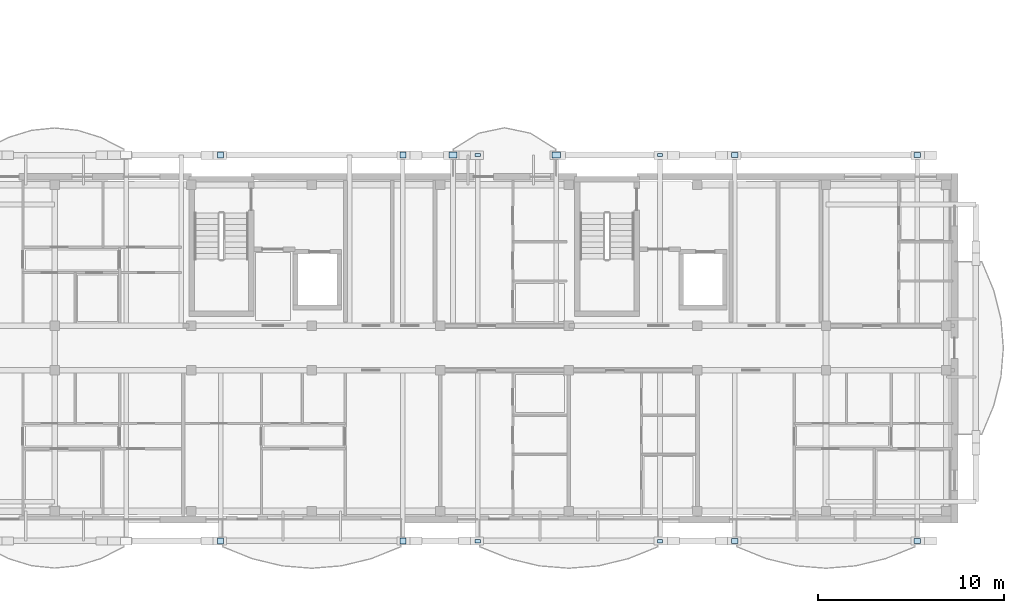
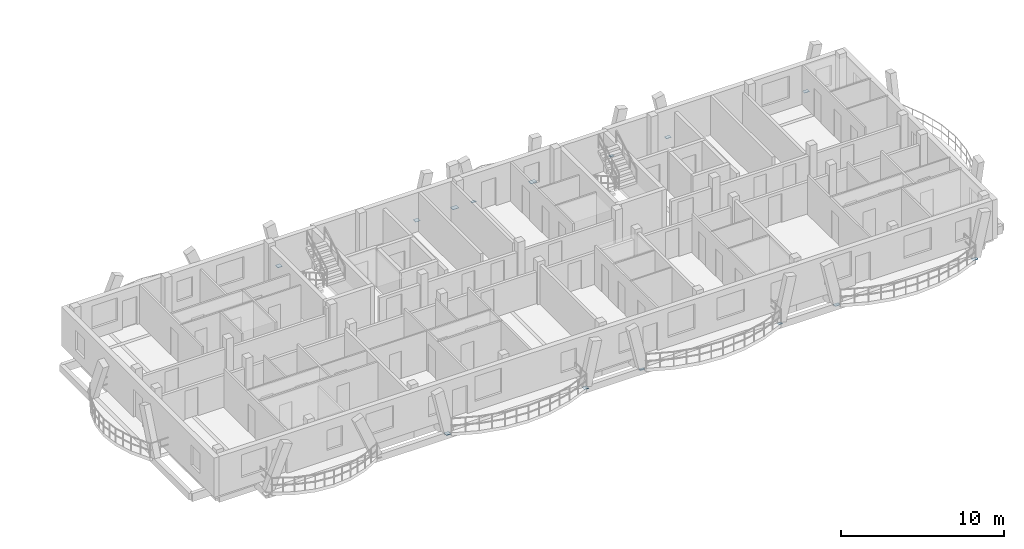
# One storey, part 15 of 50: 14 plates.
"""IFC4 building model written with IfcOpenShell, lengths in metres."""

from ifc_helpers import new_model, si_unit, direction, frame, origin, origin_2d, place, context, subcontext, project, spatial, rectangle, extrude, material, layer, layer_set, type_object, element, save


model = new_model("IFC4")

# Units and contexts
model_context = context("Model", 3, precision=1e-05, world=origin(), true_north=direction((0.0, 1.0)))
body_context = subcontext(model_context, "Body", "Model", "MODEL_VIEW")
ifc_project = project(units=[si_unit("LENGTHUNIT", "METRE"), si_unit("AREAUNIT", "SQUARE_METRE"), si_unit("VOLUMEUNIT", "CUBIC_METRE"), si_unit("PLANEANGLEUNIT", "RADIAN"), si_unit("MASSUNIT", "GRAM", prefix="KILO")], contexts=[model_context])

# Site, building, storey
site_placement = place(None, origin())
site = spatial("IfcSite", under=ifc_project, at=site_placement, CompositionType="ELEMENT")
building_placement = place(site_placement, origin())
building = spatial("IfcBuilding", under=site, at=building_placement, Name="Zavelmont Quarter", CompositionType="ELEMENT")
storey_placement = place(building_placement, frame((0.0, 0.0, 11.199951171875)))
storey = spatial("IfcBuildingStorey", under=building, at=storey_placement, Name="L03", CompositionType="ELEMENT", Elevation=11.199951171875)

# Plates
ifc_material = material(Name="Steel S355", Category="steel")
ifc_layer_1 = layer(ifc_material, 0.02001953125)
ifc_layer_set_1 = layer_set([ifc_layer_1], Name="Steel S355")
plate_type_1 = type_object("IfcPlateType", Name="NP01", PredefinedType="SHEET", material=ifc_layer_set_1)
for number, where, z_axis, x_axis, name in (
    (1, (142.40771484375, -1.162109375, -0.2099609375), (0.0, 0.0, 1.0), (1.0, 0.0, 0.0), "L03 steel connection plate NP01 at 21/A"),
    (2, (152.1923828125, -1.162109375, -0.2099609375), (0.0, 0.0, 1.0), (1.0, 0.0, 0.0), "L03 steel connection plate NP01 at 23/A"),
    (3, (142.40771484375, 19.56201171875, -0.2099609375), (0.0, 0.0, 1.0), (1.0, 0.0, 0.0), "L03 steel connection plate NP01 at 21/D"),
    (4, (152.1923828125, 19.56201171875, -0.2099609375), (0.0, 0.0, 1.0), (1.0, 0.0, 0.0), "L03 steel connection plate NP01 at 23/D"),
):
    element("IfcPlate", number, at=place(storey_placement, frame(where, z_axis=z_axis, x_axis=x_axis)), inside=storey, type_object=plate_type_1, Name=name, PredefinedType="SHEET", context=body_context, shape_type="SweptSolid", body=[
        extrude(rectangle(XDim=0.280029296875, YDim=0.179931640625, at=origin_2d()), origin(), (0.0, 0.0, 1.0), 0.02001953125),
    ])
ifc_layer_2 = layer(ifc_material, 0.02392578125)
ifc_layer_set_2 = layer_set([ifc_layer_2], Name="Steel S355")
plate_type_2 = type_object("IfcPlateType", Name="NP02", PredefinedType="SHEET", material=ifc_layer_set_2)
for number, where, z_axis, x_axis, name in (
    (5, (156.207763671875, -1.162109375, -0.2119140625), (0.0, 0.0, 1.0), (1.0, 0.0, 0.0), "L03 steel connection plate NP02 at 23/A"),
    (6, (165.9921875, -1.162109375, -0.2119140625), (0.0, 0.0, 1.0), (1.0, 0.0, 0.0), "L03 steel connection plate NP02 at 25/A"),
    (7, (156.207763671875, 19.56201171875, -0.2119140625), (0.0, 0.0, 1.0), (1.0, 0.0, 0.0), "L03 steel connection plate NP02 at 23/D"),
    (8, (165.9921875, 19.56201171875, -0.2119140625), (0.0, 0.0, 1.0), (1.0, 0.0, 0.0), "L03 steel connection plate NP02 at 25/D"),
):
    element("IfcPlate", number, at=place(storey_placement, frame(where, z_axis=z_axis, x_axis=x_axis)), inside=storey, type_object=plate_type_2, Name=name, PredefinedType="SHEET", context=body_context, shape_type="SweptSolid", body=[
        extrude(rectangle(XDim=0.360107421875, YDim=0.260009765625, at=origin_2d()), origin(), (0.0, 0.0, 1.0), 0.02392578125),
    ])
ifc_layer_3 = layer(ifc_material, 0.02490234375)
ifc_layer_set_3 = layer_set([ifc_layer_3], Name="Steel S355")
plate_type_3 = type_object("IfcPlateType", Name="NP03", PredefinedType="SHEET", material=ifc_layer_set_3)
for number, where, z_axis, x_axis, name in (
    (9, (141.0791015625, 19.56201171875, -0.21240234375), (0.0, 0.0, 1.0), (1.0, 0.0, 0.0), "L03 steel connection plate NP03 at 21/D"),
    (10, (146.620849609375, 19.56201171875, -0.21240234375), (0.0, 0.0, 1.0), (1.0, 0.0, 0.0), "L03 steel connection plate NP03 at 22/D"),
):
    element("IfcPlate", number, at=place(storey_placement, frame(where, z_axis=z_axis, x_axis=x_axis)), inside=storey, type_object=plate_type_3, Name=name, PredefinedType="SHEET", context=body_context, shape_type="SweptSolid", body=[
        extrude(rectangle(XDim=0.43994140625, YDim=0.320068359375, at=origin_2d()), origin(), (0.0, 0.0, 1.0), 0.02490234375),
    ])
ifc_layer_4 = layer(ifc_material, 0.02197265625)
ifc_layer_set_4 = layer_set([ifc_layer_4], Name="Steel S355")
plate_type_4 = type_object("IfcPlateType", Name="NP06", PredefinedType="SHEET", material=ifc_layer_set_4)
for number, where, z_axis, x_axis, name in (
    (11, (128.607666015625, -1.162109375, -0.2109375), (0.0, 0.0, 1.0), (1.0, 0.0, 0.0), "L03 steel connection plate NP06 at 19/A"),
    (12, (138.392333984375, -1.162109375, -0.2109375), (0.0, 0.0, 1.0), (1.0, 0.0, 0.0), "L03 steel connection plate NP06 at 21/A"),
    (13, (128.607666015625, 19.56201171875, -0.2109375), (0.0, 0.0, 1.0), (1.0, 0.0, 0.0), "L03 steel connection plate NP06 at 19/D"),
    (14, (138.392333984375, 19.56201171875, -0.2109375), (0.0, 0.0, 1.0), (1.0, 0.0, 0.0), "L03 steel connection plate NP06 at 21/D"),
):
    element("IfcPlate", number, at=place(storey_placement, frame(where, z_axis=z_axis, x_axis=x_axis)), inside=storey, type_object=plate_type_4, Name=name, PredefinedType="SHEET", context=body_context, shape_type="SweptSolid", body=[
        extrude(rectangle(XDim=0.320068359375, YDim=0.320068359375, at=origin_2d()), origin(), (0.0, 0.0, 1.0), 0.02197265625),
    ])

save(model, "model.ifc")
